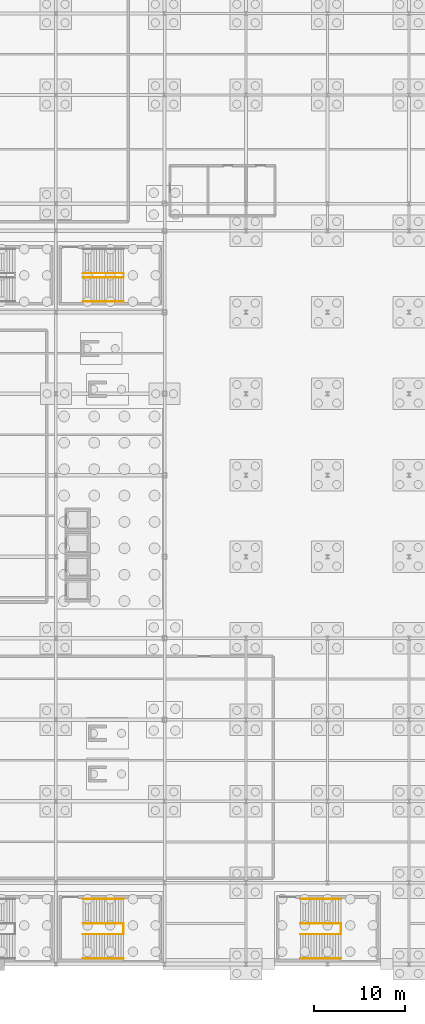
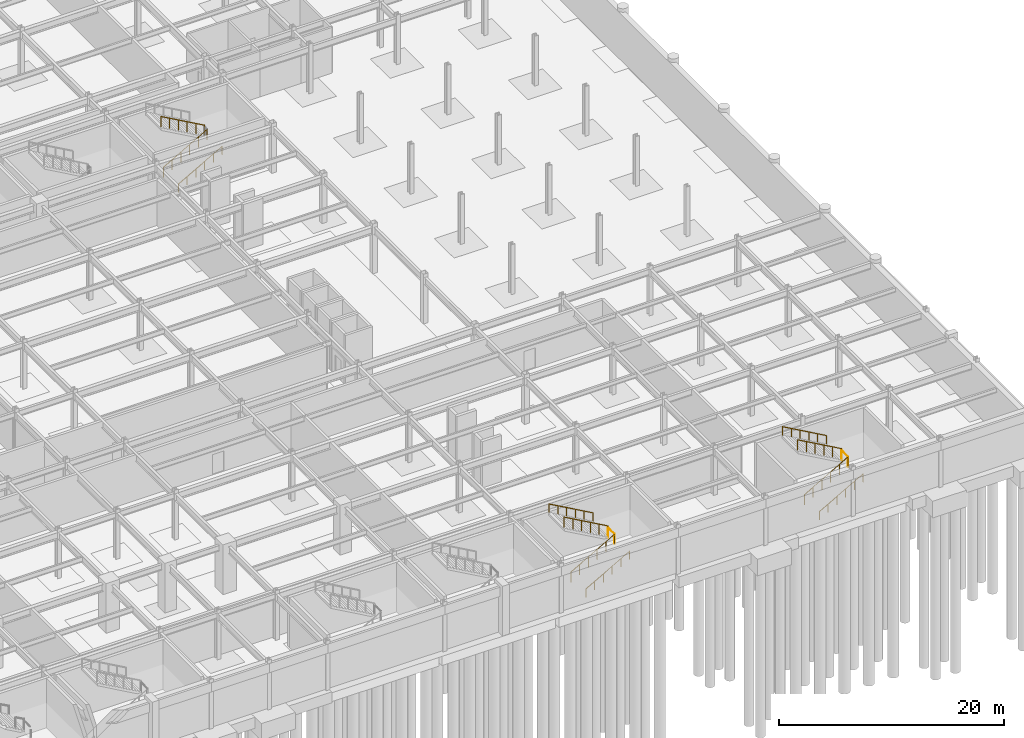
# One storey, part 45 of 47: 13 railings.
"""IFC4 building model written with IfcOpenShell, lengths in metres."""

from ifc_helpers import new_model, si_unit, direction, frame, origin, origin_2d, place, context, subcontext, project, spatial, circle, extrude, material, type_object, element, save


model = new_model("IFC4")

# Units and contexts
model_context = context("Model", 3, precision=1e-05, world=origin(), true_north=direction((0.0, 1.0)))
body_context = subcontext(model_context, "Body", "Model", "MODEL_VIEW")
ifc_project = project(units=[si_unit("LENGTHUNIT", "METRE"), si_unit("AREAUNIT", "SQUARE_METRE"), si_unit("VOLUMEUNIT", "CUBIC_METRE"), si_unit("PLANEANGLEUNIT", "RADIAN"), si_unit("MASSUNIT", "GRAM", prefix="KILO")], contexts=[model_context])

# Site, building, storey
site_placement = place(None, origin())
site = spatial("IfcSite", under=ifc_project, at=site_placement, CompositionType="ELEMENT")
building_placement = place(site_placement, origin())
building = spatial("IfcBuilding", under=site, at=building_placement, Name="Kaldorvane Square Convention Centre", CompositionType="ELEMENT")
storey_placement = place(building_placement, frame((0.0, 0.0, -5.399993896484375)))
storey = spatial("IfcBuildingStorey", under=building, at=storey_placement, Name="B01", CompositionType="ELEMENT", Elevation=-5.399993896484375)

# Railings
ifc_material = material(Name="Architectural Painted Steel", Category="steel")
railing_type_1 = type_object("IfcRailingType", Name="RL-GUARD-1120", PredefinedType="BALUSTRADE", material=ifc_material)
railing_1_placement = place(storey_placement, frame((133.49000549316406, 3.30999755859375, 2.6999969482421875)))
element("IfcRailing", 1, at=railing_1_placement, inside=storey, type_object=railing_type_1, Name="Convention Exit Stair C10 Half-Landing Guard (B01)", PredefinedType="BALUSTRADE", context=body_context, shape_type="SweptSolid", body=[
    extrude(circle(Radius=0.0240020751953125, at=origin_2d()), frame((0.0, 0.0, 1.0959930419921875), z_axis=(0.0, 1.0, 0.0), x_axis=(-1.0, 0.0, 0.0)), (0.0, 0.0, 1.0), 1.19000244140625),
    extrude(circle(Radius=0.02099609375, at=origin_2d()), origin(), (0.0, 0.0, 1.0), 1.071990966796875),
    extrude(circle(Radius=0.02099609375, at=origin_2d()), frame((0.0, 1.19000244140625, 0.0)), (0.0, 0.0, 1.0), 1.071990966796875),
])
railing_2_placement = place(storey_placement, frame((128.99000549316406, 3.3000030517578125, 0.1687469482421875)))
element("IfcRailing", 2, at=railing_2_placement, inside=storey, type_object=railing_type_1, Name="Convention Exit Stair C10 Flight 1 Guard (B01)", PredefinedType="BALUSTRADE", context=body_context, shape_type="SweptSolid", body=[
    extrude(circle(Radius=0.0240020751953125, at=origin_2d()), frame((0.0, 0.0, 1.0959930419921875), z_axis=(0.871575537125, 0.0, 0.490261239633), x_axis=(0.0, 1.0, 0.0)), (0.0, 0.0, 1.0), 5.1630706787109375),
    extrude(circle(Radius=0.02099609375, at=origin_2d()), origin(), (0.0, 0.0, 1.0), 1.071990966796875),
    extrude(circle(Radius=0.02099609375, at=origin_2d()), frame((0.899993896484375, 0.0, 0.506256103515625)), (0.0, 0.0, 1.0), 1.071990966796875),
    extrude(circle(Radius=0.02099609375, at=origin_2d()), frame((1.8000030517578125, 0.0, 1.0124969482421875)), (0.0, 0.0, 1.0), 1.071990966796875),
    extrude(circle(Radius=0.02099609375, at=origin_2d()), frame((2.6999969482421875, 0.0, 1.5187530517578125)), (0.0, 0.0, 1.0), 1.071990966796875),
    extrude(circle(Radius=0.02099609375, at=origin_2d()), frame((3.600006103515625, 0.0, 2.024993896484375)), (0.0, 0.0, 1.0), 1.071990966796875),
    extrude(circle(Radius=0.02099609375, at=origin_2d()), frame((4.5, 0.0, 2.53125)), (0.0, 0.0, 1.0), 1.071990966796875),
])
railing_3_placement = place(storey_placement, frame((133.49000549316406, 4.5099945068359375, 2.868743896484375)))
element("IfcRailing", 3, at=railing_3_placement, inside=storey, type_object=railing_type_1, Name="Convention Exit Stair C10 Flight 2 Guard (B01)", PredefinedType="BALUSTRADE", context=body_context, shape_type="SweptSolid", body=[
    extrude(circle(Radius=0.0240020751953125, at=origin_2d()), frame((0.0, 0.0, 1.0959930419921875), z_axis=(-0.871575537125, 0.0, 0.490261239633), x_axis=(0.0, -1.0, 0.0)), (0.0, 0.0, 1.0), 5.1630706787109375),
    extrude(circle(Radius=0.02099609375, at=origin_2d()), origin(), (0.0, 0.0, 1.0), 1.071990966796875),
    extrude(circle(Radius=0.02099609375, at=origin_2d()), frame((-0.899993896484375, 0.0, 0.506256103515625)), (0.0, 0.0, 1.0), 1.071990966796875),
    extrude(circle(Radius=0.02099609375, at=origin_2d()), frame((-1.8000030517578125, 0.0, 1.0124969482421875)), (0.0, 0.0, 1.0), 1.071990966796875),
    extrude(circle(Radius=0.02099609375, at=origin_2d()), frame((-2.6999969482421875, 0.0, 1.5187530517578125)), (0.0, 0.0, 1.0), 1.071990966796875),
    extrude(circle(Radius=0.02099609375, at=origin_2d()), frame((-3.600006103515625, 0.0, 2.024993896484375)), (0.0, 0.0, 1.0), 1.071990966796875),
    extrude(circle(Radius=0.02099609375, at=origin_2d()), frame((-4.5, 0.0, 2.53125)), (0.0, 0.0, 1.0), 1.071990966796875),
])
railing_4_placement = place(storey_placement, frame((157.49000549316406, 3.30999755859375, 2.6999969482421875)))
element("IfcRailing", 4, at=railing_4_placement, inside=storey, type_object=railing_type_1, Name="Convention Exit Stair C11 Half-Landing Guard (B01)", PredefinedType="BALUSTRADE", context=body_context, shape_type="SweptSolid", body=[
    extrude(circle(Radius=0.0240020751953125, at=origin_2d()), frame((0.0, 0.0, 1.0959930419921875), z_axis=(0.0, 1.0, 0.0), x_axis=(-1.0, 0.0, 0.0)), (0.0, 0.0, 1.0), 1.19000244140625),
    extrude(circle(Radius=0.02099609375, at=origin_2d()), origin(), (0.0, 0.0, 1.0), 1.071990966796875),
    extrude(circle(Radius=0.02099609375, at=origin_2d()), frame((0.0, 1.19000244140625, 0.0)), (0.0, 0.0, 1.0), 1.071990966796875),
])
railing_5_placement = place(storey_placement, frame((152.99000549316406, 3.3000030517578125, 0.1687469482421875)))
element("IfcRailing", 5, at=railing_5_placement, inside=storey, type_object=railing_type_1, Name="Convention Exit Stair C11 Flight 1 Guard (B01)", PredefinedType="BALUSTRADE", context=body_context, shape_type="SweptSolid", body=[
    extrude(circle(Radius=0.0240020751953125, at=origin_2d()), frame((0.0, 0.0, 1.0959930419921875), z_axis=(0.871575537125, 0.0, 0.490261239633), x_axis=(0.0, 1.0, 0.0)), (0.0, 0.0, 1.0), 5.1630706787109375),
    extrude(circle(Radius=0.02099609375, at=origin_2d()), origin(), (0.0, 0.0, 1.0), 1.071990966796875),
    extrude(circle(Radius=0.02099609375, at=origin_2d()), frame((0.899993896484375, 0.0, 0.506256103515625)), (0.0, 0.0, 1.0), 1.071990966796875),
    extrude(circle(Radius=0.02099609375, at=origin_2d()), frame((1.8000030517578125, 0.0, 1.0124969482421875)), (0.0, 0.0, 1.0), 1.071990966796875),
    extrude(circle(Radius=0.02099609375, at=origin_2d()), frame((2.6999969482421875, 0.0, 1.5187530517578125)), (0.0, 0.0, 1.0), 1.071990966796875),
    extrude(circle(Radius=0.02099609375, at=origin_2d()), frame((3.600006103515625, 0.0, 2.024993896484375)), (0.0, 0.0, 1.0), 1.071990966796875),
    extrude(circle(Radius=0.02099609375, at=origin_2d()), frame((4.5, 0.0, 2.53125)), (0.0, 0.0, 1.0), 1.071990966796875),
])
railing_6_placement = place(storey_placement, frame((157.49000549316406, 4.5099945068359375, 2.868743896484375)))
element("IfcRailing", 6, at=railing_6_placement, inside=storey, type_object=railing_type_1, Name="Convention Exit Stair C11 Flight 2 Guard (B01)", PredefinedType="BALUSTRADE", context=body_context, shape_type="SweptSolid", body=[
    extrude(circle(Radius=0.0240020751953125, at=origin_2d()), frame((0.0, 0.0, 1.0959930419921875), z_axis=(-0.871575537125, 0.0, 0.490261239633), x_axis=(0.0, -1.0, 0.0)), (0.0, 0.0, 1.0), 5.1630706787109375),
    extrude(circle(Radius=0.02099609375, at=origin_2d()), origin(), (0.0, 0.0, 1.0), 1.071990966796875),
    extrude(circle(Radius=0.02099609375, at=origin_2d()), frame((-0.899993896484375, 0.0, 0.506256103515625)), (0.0, 0.0, 1.0), 1.071990966796875),
    extrude(circle(Radius=0.02099609375, at=origin_2d()), frame((-1.8000030517578125, 0.0, 1.0124969482421875)), (0.0, 0.0, 1.0), 1.071990966796875),
    extrude(circle(Radius=0.02099609375, at=origin_2d()), frame((-2.6999969482421875, 0.0, 1.5187530517578125)), (0.0, 0.0, 1.0), 1.071990966796875),
    extrude(circle(Radius=0.02099609375, at=origin_2d()), frame((-3.600006103515625, 0.0, 2.024993896484375)), (0.0, 0.0, 1.0), 1.071990966796875),
    extrude(circle(Radius=0.02099609375, at=origin_2d()), frame((-4.5, 0.0, 2.53125)), (0.0, 0.0, 1.0), 1.071990966796875),
])
railing_7_placement = place(storey_placement, frame((128.99000549316406, 75.85000610351562, 0.1687469482421875)))
element("IfcRailing", 7, at=railing_7_placement, inside=storey, type_object=railing_type_1, Name="Convention Exit Stair C18 Flight 1 Guard (B01)", PredefinedType="BALUSTRADE", context=body_context, shape_type="SweptSolid", body=[
    extrude(circle(Radius=0.0240020751953125, at=origin_2d()), frame((0.0, 0.0, 1.0959930419921875), z_axis=(0.871575537125, 0.0, 0.490261239633), x_axis=(0.0, 1.0, 0.0)), (0.0, 0.0, 1.0), 5.1630706787109375),
    extrude(circle(Radius=0.02099609375, at=origin_2d()), origin(), (0.0, 0.0, 1.0), 1.071990966796875),
    extrude(circle(Radius=0.02099609375, at=origin_2d()), frame((0.899993896484375, 0.0, 0.506256103515625)), (0.0, 0.0, 1.0), 1.071990966796875),
    extrude(circle(Radius=0.02099609375, at=origin_2d()), frame((1.8000030517578125, 0.0, 1.0124969482421875)), (0.0, 0.0, 1.0), 1.071990966796875),
    extrude(circle(Radius=0.02099609375, at=origin_2d()), frame((2.6999969482421875, 0.0, 1.5187530517578125)), (0.0, 0.0, 1.0), 1.071990966796875),
    extrude(circle(Radius=0.02099609375, at=origin_2d()), frame((3.600006103515625, 0.0, 2.024993896484375)), (0.0, 0.0, 1.0), 1.071990966796875),
    extrude(circle(Radius=0.02099609375, at=origin_2d()), frame((4.5, 0.0, 2.53125)), (0.0, 0.0, 1.0), 1.071990966796875),
])
railing_8_placement = place(storey_placement, frame((133.49000549316406, 76.30999755859375, 2.868743896484375)))
element("IfcRailing", 8, at=railing_8_placement, inside=storey, type_object=railing_type_1, Name="Convention Exit Stair C18 Flight 2 Guard (B01)", PredefinedType="BALUSTRADE", context=body_context, shape_type="SweptSolid", body=[
    extrude(circle(Radius=0.0240020751953125, at=origin_2d()), frame((0.0, 0.0, 1.0959930419921875), z_axis=(-0.871575537125, 0.0, 0.490261239633), x_axis=(0.0, -1.0, 0.0)), (0.0, 0.0, 1.0), 5.1630706787109375),
    extrude(circle(Radius=0.02099609375, at=origin_2d()), origin(), (0.0, 0.0, 1.0), 1.071990966796875),
    extrude(circle(Radius=0.02099609375, at=origin_2d()), frame((-0.899993896484375, 0.0, 0.506256103515625)), (0.0, 0.0, 1.0), 1.071990966796875),
    extrude(circle(Radius=0.02099609375, at=origin_2d()), frame((-1.8000030517578125, 0.0, 1.0124969482421875)), (0.0, 0.0, 1.0), 1.071990966796875),
    extrude(circle(Radius=0.02099609375, at=origin_2d()), frame((-2.6999969482421875, 0.0, 1.5187530517578125)), (0.0, 0.0, 1.0), 1.071990966796875),
    extrude(circle(Radius=0.02099609375, at=origin_2d()), frame((-3.600006103515625, 0.0, 2.024993896484375)), (0.0, 0.0, 1.0), 1.071990966796875),
    extrude(circle(Radius=0.02099609375, at=origin_2d()), frame((-4.5, 0.0, 2.53125)), (0.0, 0.0, 1.0), 1.071990966796875),
])
railing_type_2 = type_object("IfcRailingType", Name="RL-HAND-915", PredefinedType="HANDRAIL", material=ifc_material)
railing_9_placement = place(storey_placement, frame((128.99000549316406, 0.6199951171875, 0.1687469482421875)))
element("IfcRailing", 9, at=railing_9_placement, inside=storey, type_object=railing_type_2, Name="Convention Exit Stair C10 Wall Handrail 1 (B01)", PredefinedType="HANDRAIL", context=body_context, shape_type="SweptSolid", body=[
    extrude(circle(Radius=0.0240020751953125, at=origin_2d()), frame((0.0, 0.0, 0.8909912109375), z_axis=(0.871575537125, 0.0, 0.490261239633), x_axis=(0.0, 1.0, 0.0)), (0.0, 0.0, 1.0), 5.1630706787109375),
    extrude(circle(Radius=0.02099609375, at=origin_2d()), origin(), (0.0, 0.0, 1.0), 0.8669891357421875),
    extrude(circle(Radius=0.02099609375, at=origin_2d()), frame((0.899993896484375, 0.0, 0.506256103515625)), (0.0, 0.0, 1.0), 0.8669891357421875),
    extrude(circle(Radius=0.02099609375, at=origin_2d()), frame((1.8000030517578125, 0.0, 1.0124969482421875)), (0.0, 0.0, 1.0), 0.8669891357421875),
    extrude(circle(Radius=0.02099609375, at=origin_2d()), frame((2.6999969482421875, 0.0, 1.5187530517578125)), (0.0, 0.0, 1.0), 0.8669891357421875),
    extrude(circle(Radius=0.02099609375, at=origin_2d()), frame((3.600006103515625, 0.0, 2.024993896484375)), (0.0, 0.0, 1.0), 0.8669891357421875),
    extrude(circle(Radius=0.02099609375, at=origin_2d()), frame((4.5, 0.0, 2.53125)), (0.0, 0.0, 1.0), 0.8669891357421875),
])
railing_10_placement = place(storey_placement, frame((133.49000549316406, 7.19000244140625, 2.868743896484375)))
element("IfcRailing", 10, at=railing_10_placement, inside=storey, type_object=railing_type_2, Name="Convention Exit Stair C10 Wall Handrail 2 (B01)", PredefinedType="HANDRAIL", context=body_context, shape_type="SweptSolid", body=[
    extrude(circle(Radius=0.0240020751953125, at=origin_2d()), frame((0.0, 0.0, 0.8909912109375), z_axis=(-0.871575537125, 0.0, 0.490261239633), x_axis=(0.0, -1.0, 0.0)), (0.0, 0.0, 1.0), 5.1630706787109375),
    extrude(circle(Radius=0.02099609375, at=origin_2d()), origin(), (0.0, 0.0, 1.0), 0.8669891357421875),
    extrude(circle(Radius=0.02099609375, at=origin_2d()), frame((-0.899993896484375, 0.0, 0.506256103515625)), (0.0, 0.0, 1.0), 0.8669891357421875),
    extrude(circle(Radius=0.02099609375, at=origin_2d()), frame((-1.8000030517578125, 0.0, 1.0124969482421875)), (0.0, 0.0, 1.0), 0.8669891357421875),
    extrude(circle(Radius=0.02099609375, at=origin_2d()), frame((-2.6999969482421875, 0.0, 1.5187530517578125)), (0.0, 0.0, 1.0), 0.8669891357421875),
    extrude(circle(Radius=0.02099609375, at=origin_2d()), frame((-3.600006103515625, 0.0, 2.024993896484375)), (0.0, 0.0, 1.0), 0.8669891357421875),
    extrude(circle(Radius=0.02099609375, at=origin_2d()), frame((-4.5, 0.0, 2.53125)), (0.0, 0.0, 1.0), 0.8669891357421875),
])
railing_11_placement = place(storey_placement, frame((152.99000549316406, 0.6199951171875, 0.1687469482421875)))
element("IfcRailing", 11, at=railing_11_placement, inside=storey, type_object=railing_type_2, Name="Convention Exit Stair C11 Wall Handrail 1 (B01)", PredefinedType="HANDRAIL", context=body_context, shape_type="SweptSolid", body=[
    extrude(circle(Radius=0.0240020751953125, at=origin_2d()), frame((0.0, 0.0, 0.8909912109375), z_axis=(0.871575537125, 0.0, 0.490261239633), x_axis=(0.0, 1.0, 0.0)), (0.0, 0.0, 1.0), 5.1630706787109375),
    extrude(circle(Radius=0.02099609375, at=origin_2d()), origin(), (0.0, 0.0, 1.0), 0.8669891357421875),
    extrude(circle(Radius=0.02099609375, at=origin_2d()), frame((0.899993896484375, 0.0, 0.506256103515625)), (0.0, 0.0, 1.0), 0.8669891357421875),
    extrude(circle(Radius=0.02099609375, at=origin_2d()), frame((1.8000030517578125, 0.0, 1.0124969482421875)), (0.0, 0.0, 1.0), 0.8669891357421875),
    extrude(circle(Radius=0.02099609375, at=origin_2d()), frame((2.6999969482421875, 0.0, 1.5187530517578125)), (0.0, 0.0, 1.0), 0.8669891357421875),
    extrude(circle(Radius=0.02099609375, at=origin_2d()), frame((3.600006103515625, 0.0, 2.024993896484375)), (0.0, 0.0, 1.0), 0.8669891357421875),
    extrude(circle(Radius=0.02099609375, at=origin_2d()), frame((4.5, 0.0, 2.53125)), (0.0, 0.0, 1.0), 0.8669891357421875),
])
railing_12_placement = place(storey_placement, frame((157.49000549316406, 7.19000244140625, 2.868743896484375)))
element("IfcRailing", 12, at=railing_12_placement, inside=storey, type_object=railing_type_2, Name="Convention Exit Stair C11 Wall Handrail 2 (B01)", PredefinedType="HANDRAIL", context=body_context, shape_type="SweptSolid", body=[
    extrude(circle(Radius=0.0240020751953125, at=origin_2d()), frame((0.0, 0.0, 0.8909912109375), z_axis=(-0.871575537125, 0.0, 0.490261239633), x_axis=(0.0, -1.0, 0.0)), (0.0, 0.0, 1.0), 5.1630706787109375),
    extrude(circle(Radius=0.02099609375, at=origin_2d()), origin(), (0.0, 0.0, 1.0), 0.8669891357421875),
    extrude(circle(Radius=0.02099609375, at=origin_2d()), frame((-0.899993896484375, 0.0, 0.506256103515625)), (0.0, 0.0, 1.0), 0.8669891357421875),
    extrude(circle(Radius=0.02099609375, at=origin_2d()), frame((-1.8000030517578125, 0.0, 1.0124969482421875)), (0.0, 0.0, 1.0), 0.8669891357421875),
    extrude(circle(Radius=0.02099609375, at=origin_2d()), frame((-2.6999969482421875, 0.0, 1.5187530517578125)), (0.0, 0.0, 1.0), 0.8669891357421875),
    extrude(circle(Radius=0.02099609375, at=origin_2d()), frame((-3.600006103515625, 0.0, 2.024993896484375)), (0.0, 0.0, 1.0), 0.8669891357421875),
    extrude(circle(Radius=0.02099609375, at=origin_2d()), frame((-4.5, 0.0, 2.53125)), (0.0, 0.0, 1.0), 0.8669891357421875),
])
railing_13_placement = place(storey_placement, frame((128.99000549316406, 73.16999816894531, 0.1687469482421875)))
element("IfcRailing", 13, at=railing_13_placement, inside=storey, type_object=railing_type_2, Name="Convention Exit Stair C18 Wall Handrail 1 (B01)", PredefinedType="HANDRAIL", context=body_context, shape_type="SweptSolid", body=[
    extrude(circle(Radius=0.0240020751953125, at=origin_2d()), frame((0.0, 0.0, 0.8909912109375), z_axis=(0.871575537125, 0.0, 0.490261239633), x_axis=(0.0, 1.0, 0.0)), (0.0, 0.0, 1.0), 5.1630706787109375),
    extrude(circle(Radius=0.02099609375, at=origin_2d()), origin(), (0.0, 0.0, 1.0), 0.8669891357421875),
    extrude(circle(Radius=0.02099609375, at=origin_2d()), frame((0.899993896484375, 0.0, 0.506256103515625)), (0.0, 0.0, 1.0), 0.8669891357421875),
    extrude(circle(Radius=0.02099609375, at=origin_2d()), frame((1.8000030517578125, 0.0, 1.0124969482421875)), (0.0, 0.0, 1.0), 0.8669891357421875),
    extrude(circle(Radius=0.02099609375, at=origin_2d()), frame((2.6999969482421875, 0.0, 1.5187530517578125)), (0.0, 0.0, 1.0), 0.8669891357421875),
    extrude(circle(Radius=0.02099609375, at=origin_2d()), frame((3.600006103515625, 0.0, 2.024993896484375)), (0.0, 0.0, 1.0), 0.8669891357421875),
    extrude(circle(Radius=0.02099609375, at=origin_2d()), frame((4.5, 0.0, 2.53125)), (0.0, 0.0, 1.0), 0.8669891357421875),
])

save(model, "model.ifc")
